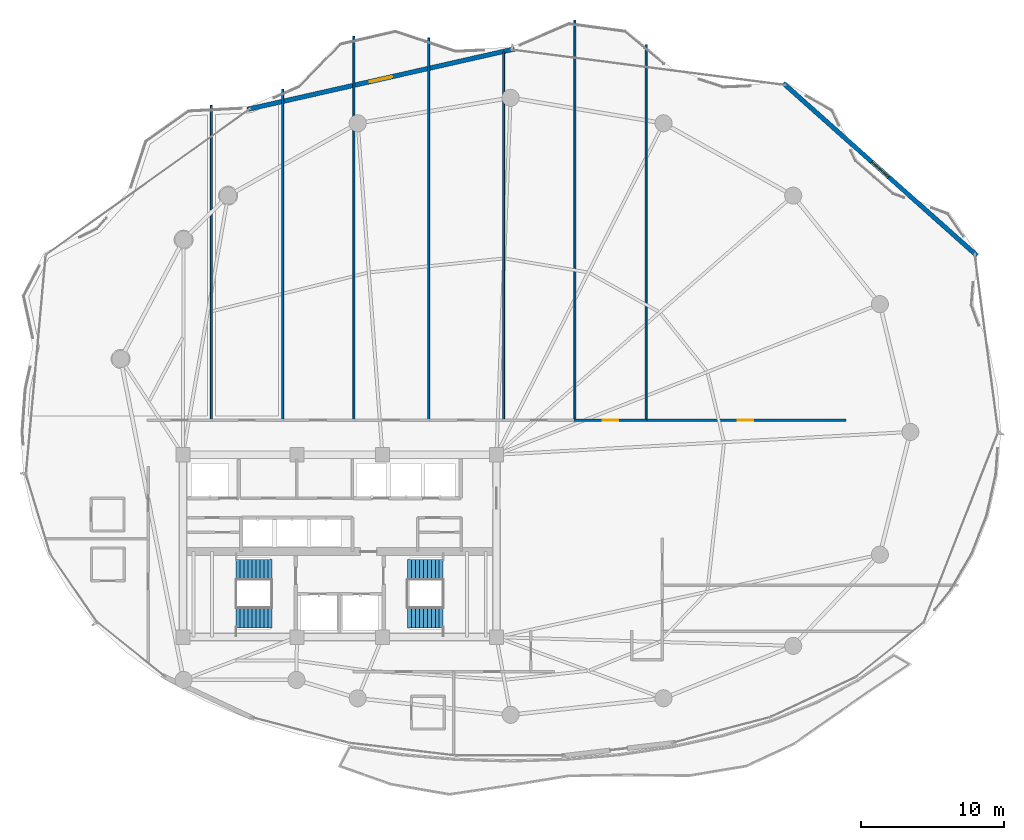
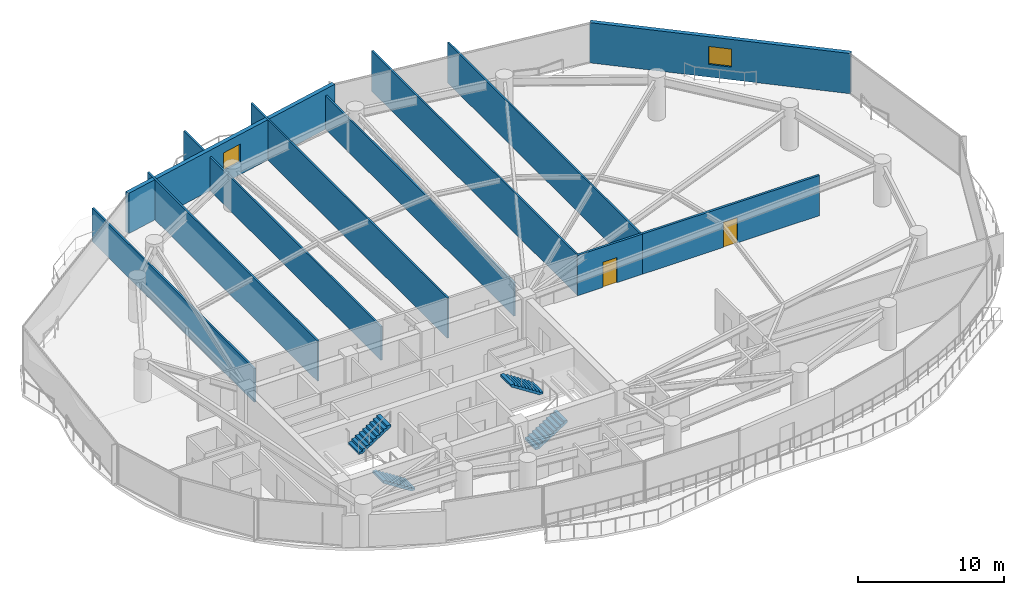
# One storey, part 28 of 33: 11 walls, 4 stair flights, 2 doors, 2 windows, 4 openings, 2 elements without a shape of their own.
"""IFC4 building model written with IfcOpenShell, lengths in metres."""

from ifc_helpers import new_model, si_unit, direction, frame, frame_2d, origin, place, context, subcontext, project, spatial, polyline, rectangle, outline, extrude, material, layer, layer_set, type_object, element, fill, aggregate, save


model = new_model("IFC4")

# Units and contexts
model_context = context("Model", 3, precision=1e-05, world=origin(), true_north=direction((0.0, 1.0)))
body_context = subcontext(model_context, "Body", "Model", "MODEL_VIEW")
ifc_project = project(units=[si_unit("LENGTHUNIT", "METRE"), si_unit("AREAUNIT", "SQUARE_METRE"), si_unit("VOLUMEUNIT", "CUBIC_METRE"), si_unit("PLANEANGLEUNIT", "RADIAN"), si_unit("MASSUNIT", "GRAM", prefix="KILO")], contexts=[model_context])

# Site, building, storey
site_placement = place(None, origin())
site = spatial("IfcSite", under=ifc_project, at=site_placement, CompositionType="ELEMENT")
building_placement = place(site_placement, origin())
building = spatial("IfcBuilding", under=site, at=building_placement, Name="Kazevale Care Tower and Concert Hall", CompositionType="ELEMENT")
storey_placement = place(building_placement, frame((0.0, 0.0, 153.0)))
storey = spatial("IfcBuildingStorey", under=building, at=storey_placement, Name="L40", CompositionType="ELEMENT", Elevation=153.0)

# Walls
ifc_material_1 = material(Name="Acoustic Gypsum on Steel Stud", Category="steel")
ifc_layer_1 = layer(ifc_material_1, 0.139892578125)
ifc_layer_set_1 = layer_set([ifc_layer_1], Name="Acoustic Gypsum on Steel Stud")
wall_type_1 = type_object("IfcWallType", Name="Acoustic Care & Suite Partition 140", PredefinedType="PARTITIONING", material=ifc_layer_set_1)
wall_1_placement = place(storey_placement, frame((24.0, 60.9208984375, 0.0), z_axis=(0.0, 0.0, 1.0), x_axis=(0.0, -1.0, 0.0)))
element("IfcWall", 1, at=wall_1_placement, inside=storey, type_object=wall_type_1, Name="wall:L40:auto_019", PredefinedType="PARTITIONING", context=body_context, shape_type="SweptSolid", body=[
    extrude(rectangle(XDim=22.1259765625, YDim=0.139892578125, at=frame_2d((11.06298828125, 0.0))), origin(), (0.0, 0.0, 1.0), 2.805908203125),
])
wall_2_placement = place(storey_placement, frame((29.0, 62.0439453125, 0.0), z_axis=(0.0, 0.0, 1.0), x_axis=(0.0, -1.0, 0.0)))
element("IfcWall", 2, at=wall_2_placement, inside=storey, type_object=wall_type_1, Name="wall:L40:auto_020", PredefinedType="PARTITIONING", context=body_context, shape_type="SweptSolid", body=[
    extrude(rectangle(XDim=23.2490234375, YDim=0.139892578125, at=frame_2d((11.62451171875, 0.0))), origin(), (0.0, 0.0, 1.0), 3.360107421875),
])
wall_3_placement = place(storey_placement, frame((34.0, 65.7509765625, 0.0), z_axis=(0.0, 0.0, 1.0), x_axis=(0.0, -1.0, 0.0)))
element("IfcWall", 3, at=wall_3_placement, inside=storey, type_object=wall_type_1, Name="wall:L40:auto_021", PredefinedType="PARTITIONING", context=body_context, shape_type="SweptSolid", body=[
    extrude(rectangle(XDim=26.9560546875, YDim=0.139892578125, at=frame_2d((13.47802734375, 0.0))), origin(), (0.0, 0.0, 1.0), 2.805908203125),
])
wall_4_placement = place(storey_placement, frame((39.25, 65.64501953125, 0.0), z_axis=(0.0, 0.0, 1.0), x_axis=(0.0, -1.0, 0.0)))
element("IfcWall", 4, at=wall_4_placement, inside=storey, type_object=wall_type_1, Name="wall:L40:auto_022", PredefinedType="PARTITIONING", context=body_context, shape_type="SweptSolid", body=[
    extrude(rectangle(XDim=26.85009765625, YDim=0.139892578125, at=frame_2d((13.425048828125, 0.0))), origin(), (0.0, 0.0, 1.0), 3.360107421875),
])
wall_5_placement = place(storey_placement, frame((44.5, 64.68994140625, 0.0), z_axis=(0.0, 0.0, 1.0), x_axis=(0.0, -1.0, 0.0)))
element("IfcWall", 5, at=wall_5_placement, inside=storey, type_object=wall_type_1, Name="wall:L40:auto_023", PredefinedType="PARTITIONING", context=body_context, shape_type="SweptSolid", body=[
    extrude(rectangle(XDim=25.89501953125, YDim=0.139892578125, at=frame_2d((12.947509765625, 0.0))), origin(), (0.0, 0.0, 1.0), 2.805908203125),
])
wall_6_placement = place(storey_placement, frame((49.5, 66.907958984375, 0.0), z_axis=(0.0, 0.0, 1.0), x_axis=(0.0, -1.0, 0.0)))
element("IfcWall", 6, at=wall_6_placement, inside=storey, type_object=wall_type_1, Name="wall:L40:auto_024", PredefinedType="PARTITIONING", context=body_context, shape_type="SweptSolid", body=[
    extrude(rectangle(XDim=28.113037109375, YDim=0.139892578125, at=frame_2d((14.056640625, 0.0))), origin(), (0.0, 0.0, 1.0), 3.360107421875),
])
wall_7_placement = place(storey_placement, frame((54.5, 65.18798828125, 0.0), z_axis=(0.0, 0.0, 1.0), x_axis=(0.0, -1.0, 0.0)))
element("IfcWall", 7, at=wall_7_placement, inside=storey, type_object=wall_type_1, Name="wall:L40:auto_025", PredefinedType="PARTITIONING", context=body_context, shape_type="SweptSolid", body=[
    extrude(rectangle(XDim=26.39306640625, YDim=0.139892578125, at=frame_2d((13.196533203125, 0.0))), origin(), (0.0, 0.0, 1.0), 3.360107421875),
])

# Wall, opening, door
ifc_material_2 = material(Name="Concrete C40 and Acoustic Gypsum", Category="concrete")
ifc_layer_2 = layer(ifc_material_2, 0.179931640625)
ifc_layer_set_2 = layer_set([ifc_layer_2], Name="Concrete C40 and Acoustic Gypsum")
wall_type_2 = type_object("IfcWallType", Name="Fire-Rated Corridor & Party Wall 180", PredefinedType="PARTITIONING", material=ifc_layer_set_2)
wall_8_placement = place(storey_placement, frame((49.43505859375, 38.824951171875, 0.0), z_axis=(0.0, 0.0, 1.0), x_axis=(1.0, 0.0, 0.0)))
wall_8 = element("IfcWall", 8, at=wall_8_placement, inside=storey, type_object=wall_type_2, Name="wall:L40:auto_007", PredefinedType="PARTITIONING", context=body_context, shape_type="SweptSolid", body=[
    extrude(rectangle(XDim=5.1298828125, YDim=0.179931640625, at=frame_2d((2.56494140625, 0.0))), origin(), (0.0, 0.0, 1.0), 3.360107421875),
])
opening_1_placement = place(wall_8_placement, frame((2.014892578125, 0.0, 0.0)))
opening_1 = element("IfcOpeningElement", 9, at=opening_1_placement, cuts=wall_8, Name="Opening ID-1100", PredefinedType="OPENING", context=body_context, shape_type="SweptSolid", body=[
    extrude(rectangle(XDim=1.10009765625, YDim=2.10009765625, at=frame_2d((0.550048828125, 1.050048828125))), frame((0.0, 0.099853515625, 0.0), z_axis=(0.0, -1.0, 0.0), x_axis=(1.0, 0.0, 0.0)), (0.0, 0.0, 1.0), 0.199951171875),
])
ifc_material_3 = material(Name="Oak Timber Fire Leaf", Category="wood")
door_type = type_object("IfcDoorType", Name="Care Bedroom Accessible Door 1100x2100", OperationType="NOTDEFINED", PredefinedType="DOOR", material=ifc_material_3)
door_1_placement = place(opening_1_placement, origin())
door_1 = element("IfcDoor", 10, at=door_1_placement, inside=storey, type_object=door_type, Name="door:L40:ad_007", OperationType="SINGLE_SWING_LEFT", OverallHeight=2.10009765625, OverallWidth=1.10009765625, PredefinedType="DOOR", context=body_context, shape_type="SweptSolid", body=[
    extrude(rectangle(XDim=1.10009765625, YDim=2.10009765625, at=frame_2d((0.550048828125, 1.050048828125))), frame((0.0, 0.02490234375, 0.0), z_axis=(0.0, -1.0, 0.0), x_axis=(1.0, 0.0, 0.0)), (0.0, 0.0, 1.0), 0.050048828125),
])
fill(opening_1, door_1)

wall_9_placement = place(storey_placement, frame((54.43505859375, 38.824951171875, 0.0), z_axis=(0.0, 0.0, 1.0), x_axis=(1.0, 0.0, 0.0)))
wall_9 = element("IfcWall", 11, at=wall_9_placement, inside=storey, type_object=wall_type_2, Name="wall:L40:auto_008", PredefinedType="PARTITIONING", context=body_context, shape_type="SweptSolid", body=[
    extrude(rectangle(XDim=14.094970703125, YDim=0.179931640625, at=frame_2d((7.04736328125, 0.0))), origin(), (0.0, 0.0, 1.0), 3.360107421875),
])
opening_2_placement = place(wall_9_placement, frame((6.498046875, 0.0, 0.0)))
opening_2 = element("IfcOpeningElement", 12, at=opening_2_placement, cuts=wall_9, Name="Opening ID-1100", PredefinedType="OPENING", context=body_context, shape_type="SweptSolid", body=[
    extrude(rectangle(XDim=1.10009765625, YDim=2.10009765625, at=frame_2d((0.550048828125, 1.050048828125))), frame((0.0, 0.099853515625, 0.0), z_axis=(0.0, -1.0, 0.0), x_axis=(1.0, 0.0, 0.0)), (0.0, 0.0, 1.0), 0.199951171875),
])
door_2_placement = place(opening_2_placement, origin())
door_2 = element("IfcDoor", 13, at=door_2_placement, inside=storey, type_object=door_type, Name="door:L40:ad_008", OperationType="SINGLE_SWING_LEFT", OverallHeight=2.10009765625, OverallWidth=1.10009765625, PredefinedType="DOOR", context=body_context, shape_type="SweptSolid", body=[
    extrude(rectangle(XDim=1.10009765625, YDim=2.10009765625, at=frame_2d((0.550048828125, 1.050048828125))), frame((0.0, 0.02490234375, 0.0), z_axis=(0.0, -1.0, 0.0), x_axis=(1.0, 0.0, 0.0)), (0.0, 0.0, 1.0), 0.050048828125),
])
fill(opening_2, door_2)

# Wall, opening, window
ifc_material_4 = material(Name="Concrete C40 with Honed Limestone Cladding", Category="masonry")
ifc_layer_3 = layer(ifc_material_4, 0.320068359375)
ifc_layer_set_3 = layer_set([ifc_layer_3], Name="Concrete C40 with Honed Limestone Cladding")
wall_type_3 = type_object("IfcWallType", Name="Tower Honed Limestone Spandrel Wall 320", PredefinedType="STANDARD", material=ifc_layer_set_3)
wall_10_placement = place(storey_placement, frame((26.52490234375, 60.635009765625, 0.0), z_axis=(0.0, 0.0, 1.0), x_axis=(0.975368700272, 0.220580820855, 0.0)))
wall_10 = element("IfcWall", 14, at=wall_10_placement, inside=storey, type_object=wall_type_3, Name="wall:L40:cbox:15", PredefinedType="STANDARD", context=body_context, shape_type="SweptSolid", body=[
    extrude(rectangle(XDim=19.204345703125, YDim=0.320068359375, at=frame_2d((9.60205078125, 0.0))), origin(), (0.0, 0.0, 1.0), 3.360107421875),
])
opening_3_placement = place(wall_10_placement, frame((8.801025390625, 0.0, 1.050048828125)))
opening_3 = element("IfcOpeningElement", 15, at=opening_3_placement, cuts=wall_10, Name="Opening WIN-1", PredefinedType="OPENING", context=body_context, shape_type="SweptSolid", body=[
    extrude(rectangle(XDim=1.60009765625, YDim=1.5, at=frame_2d((0.800048828125, 0.75))), frame((0.0, 0.169921875, 0.0), z_axis=(0.0, -1.0, 0.0), x_axis=(1.0, 0.0, 0.0)), (0.0, 0.0, 1.0), 0.340087890625),
])
ifc_material_5 = material(Name="Low-E Laminated Glass", Category="glass")
window_type = type_object("IfcWindowType", Name="Convex Box Deep-Set Window 1600x1500", PartitioningType="DOUBLE_PANEL_VERTICAL", PredefinedType="WINDOW", material=ifc_material_5)
window_1_placement = place(opening_3_placement, origin())
window_1 = element("IfcWindow", 16, at=window_1_placement, inside=storey, type_object=window_type, Name="win:L40:cbox:15", OverallHeight=1.5, OverallWidth=1.60009765625, PartitioningType="SINGLE_PANEL", PredefinedType="WINDOW", context=body_context, shape_type="SweptSolid", body=[
    extrude(rectangle(XDim=1.60009765625, YDim=1.5, at=frame_2d((0.800048828125, 0.75))), frame((0.0, 0.030029296875, 0.0), z_axis=(0.0, -1.0, 0.0), x_axis=(1.0, 0.0, 0.0)), (0.0, 0.0, 1.0), 0.06005859375),
])
fill(opening_3, window_1)

wall_11_placement = place(storey_placement, frame((64.132080078125, 62.47705078125, 0.0), z_axis=(0.0, 0.0, 1.0), x_axis=(0.746726187299, -0.665131566836, 0.0)))
wall_11 = element("IfcWall", 17, at=wall_11_placement, inside=storey, type_object=wall_type_3, Name="wall:L40:cbox:17", PredefinedType="STANDARD", context=body_context, shape_type="SweptSolid", body=[
    extrude(rectangle(XDim=18.2099609375, YDim=0.320068359375, at=frame_2d((9.10498046875, 0.0))), origin(), (0.0, 0.0, 1.0), 3.360107421875),
])
opening_4_placement = place(wall_11_placement, frame((8.304931640625, 0.0, 1.050048828125)))
opening_4 = element("IfcOpeningElement", 18, at=opening_4_placement, cuts=wall_11, Name="Opening WIN-1", PredefinedType="OPENING", context=body_context, shape_type="SweptSolid", body=[
    extrude(rectangle(XDim=1.60009765625, YDim=1.5, at=frame_2d((0.800048828125, 0.75))), frame((0.0, 0.169921875, 0.0), z_axis=(0.0, -1.0, 0.0), x_axis=(1.0, 0.0, 0.0)), (0.0, 0.0, 1.0), 0.340087890625),
])
window_2_placement = place(opening_4_placement, origin())
window_2 = element("IfcWindow", 19, at=window_2_placement, inside=storey, type_object=window_type, Name="win:L40:cbox:17", OverallHeight=1.5, OverallWidth=1.60009765625, PartitioningType="SINGLE_PANEL", PredefinedType="WINDOW", context=body_context, shape_type="SweptSolid", body=[
    extrude(rectangle(XDim=1.60009765625, YDim=1.5, at=frame_2d((0.800048828125, 0.75))), frame((0.0, 0.030029296875, 0.0), z_axis=(0.0, -1.0, 0.0), x_axis=(1.0, 0.0, 0.0)), (0.0, 0.0, 1.0), 0.06005859375),
])
fill(opening_4, window_2)

# Stair, stair flights
ifc_material_6 = material(Name="Concrete C40", Category="concrete")
stair_type = type_object("IfcStairType", Name="Exit Stair Assembly ST1-Z2", PredefinedType="HALF_TURN_STAIR", material=ifc_material_6)
stair_1_placement = place(storey_placement, origin())
stair_1 = element("IfcStair", 20, at=stair_1_placement, inside=storey, type_object=stair_type, Name="stair:L40:ST1", PredefinedType="HALF_TURN_STAIR")
ifc_layer_4 = layer(ifc_material_6, 0.159912109375)
ifc_layer_set_4 = layer_set([ifc_layer_4], Name="Concrete C40")
stair_flight_type = type_object("IfcStairFlightType", Name="Exit Stair Flight ST1-Z2", PredefinedType="STRAIGHT", material=ifc_layer_set_4)
stair_flight_1_placement = place(storey_placement, frame((28.25, 24.97998046875, 0.0), z_axis=(0.0, 0.0, 1.0), x_axis=(-1.0, 0.0, 0.0)))
stair_flight_1 = element("IfcStairFlight", 21, at=stair_flight_1_placement, type_object=stair_flight_type, Name="ST1-Z2 flight 1", NumberOfRisers=10, NumberOfTreads=9, PredefinedType="STRAIGHT", RiserHeight=0.18, TreadLength=0.28, context=body_context, shape_type="SweptSolid", body=[
    extrude(outline(polyline([(0.0, 0.0), (0.0, 0.179931640625), (0.280029296875, 0.179931640625), (0.280029296875, 0.360107421875), (0.56005859375, 0.360107421875), (0.56005859375, 0.5400390625), (0.840087890625, 0.5400390625), (0.840087890625, 0.719970703125), (1.1201171875, 0.719970703125), (1.1201171875, 0.89990234375), (1.39990234375, 0.89990234375), (1.39990234375, 1.080078125), (1.679931640625, 1.080078125), (1.679931640625, 1.260009765625), (1.9599609375, 1.260009765625), (1.9599609375, 1.43994140625), (2.239990234375, 1.43994140625), (2.239990234375, 1.6201171875), (2.52001953125, 1.6201171875), (2.52001953125, 1.800048828125), (2.52001953125, 1.429931640625), (0.295654296875, 0.0), (0.0, 0.0)])), frame((0.0, 0.72998046875, 0.0), z_axis=(0.0, -1.0, 0.0), x_axis=(1.0, 0.0, 0.0)), (0.0, 0.0, 1.0), 1.4599609375),
])
stair_flight_2_placement = place(storey_placement, frame((25.72998046875, 28.320068359375, 1.800048828125), z_axis=(0.0, 0.0, 1.0), x_axis=(1.0, 0.0, 0.0)))
stair_flight_2 = element("IfcStairFlight", 22, at=stair_flight_2_placement, type_object=stair_flight_type, Name="ST1-Z2 flight 2", NumberOfRisers=10, NumberOfTreads=9, PredefinedType="STRAIGHT", RiserHeight=0.18, TreadLength=0.28, context=body_context, shape_type="SweptSolid", body=[
    extrude(outline(polyline([(0.0, 0.0), (0.0, 0.179931640625), (0.280029296875, 0.179931640625), (0.280029296875, 0.360107421875), (0.56005859375, 0.360107421875), (0.56005859375, 0.5400390625), (0.840087890625, 0.5400390625), (0.840087890625, 0.719970703125), (1.1201171875, 0.719970703125), (1.1201171875, 0.89990234375), (1.39990234375, 0.89990234375), (1.39990234375, 1.080078125), (1.679931640625, 1.080078125), (1.679931640625, 1.260009765625), (1.9599609375, 1.260009765625), (1.9599609375, 1.43994140625), (2.239990234375, 1.43994140625), (2.239990234375, 1.6201171875), (2.52001953125, 1.6201171875), (2.52001953125, 1.800048828125), (2.52001953125, 1.429931640625), (0.295654296875, 0.0), (0.0, 0.0)])), frame((0.0, 0.72998046875, 0.0), z_axis=(0.0, -1.0, 0.0), x_axis=(1.0, 0.0, 0.0)), (0.0, 0.0, 1.0), 1.4599609375),
])
aggregate(stair_1, [stair_flight_1, stair_flight_2])

stair_2_placement = place(storey_placement, origin())
stair_2 = element("IfcStair", 23, at=stair_2_placement, inside=storey, type_object=stair_type, Name="stair:L40:ST2", PredefinedType="HALF_TURN_STAIR")
stair_flight_3_placement = place(storey_placement, frame((37.75, 24.97998046875, 0.0), z_axis=(0.0, 0.0, 1.0), x_axis=(1.0, 0.0, 0.0)))
stair_flight_3 = element("IfcStairFlight", 24, at=stair_flight_3_placement, type_object=stair_flight_type, Name="ST1-Z2 flight 1", NumberOfRisers=10, NumberOfTreads=9, PredefinedType="STRAIGHT", RiserHeight=0.18, TreadLength=0.28, context=body_context, shape_type="SweptSolid", body=[
    extrude(outline(polyline([(0.0, 0.0), (0.0, 0.179931640625), (0.280029296875, 0.179931640625), (0.280029296875, 0.360107421875), (0.56005859375, 0.360107421875), (0.56005859375, 0.5400390625), (0.840087890625, 0.5400390625), (0.840087890625, 0.719970703125), (1.1201171875, 0.719970703125), (1.1201171875, 0.89990234375), (1.39990234375, 0.89990234375), (1.39990234375, 1.080078125), (1.679931640625, 1.080078125), (1.679931640625, 1.260009765625), (1.9599609375, 1.260009765625), (1.9599609375, 1.43994140625), (2.239990234375, 1.43994140625), (2.239990234375, 1.6201171875), (2.52001953125, 1.6201171875), (2.52001953125, 1.800048828125), (2.52001953125, 1.429931640625), (0.295654296875, 0.0), (0.0, 0.0)])), frame((0.0, 0.72998046875, 0.0), z_axis=(0.0, -1.0, 0.0), x_axis=(1.0, 0.0, 0.0)), (0.0, 0.0, 1.0), 1.4599609375),
])
stair_flight_4_placement = place(storey_placement, frame((40.27001953125, 28.320068359375, 1.800048828125), z_axis=(0.0, 0.0, 1.0), x_axis=(-1.0, 0.0, 0.0)))
stair_flight_4 = element("IfcStairFlight", 25, at=stair_flight_4_placement, type_object=stair_flight_type, Name="ST1-Z2 flight 2", NumberOfRisers=10, NumberOfTreads=9, PredefinedType="STRAIGHT", RiserHeight=0.18, TreadLength=0.28, context=body_context, shape_type="SweptSolid", body=[
    extrude(outline(polyline([(0.0, 0.0), (0.0, 0.179931640625), (0.280029296875, 0.179931640625), (0.280029296875, 0.360107421875), (0.56005859375, 0.360107421875), (0.56005859375, 0.5400390625), (0.840087890625, 0.5400390625), (0.840087890625, 0.719970703125), (1.1201171875, 0.719970703125), (1.1201171875, 0.89990234375), (1.39990234375, 0.89990234375), (1.39990234375, 1.080078125), (1.679931640625, 1.080078125), (1.679931640625, 1.260009765625), (1.9599609375, 1.260009765625), (1.9599609375, 1.43994140625), (2.239990234375, 1.43994140625), (2.239990234375, 1.6201171875), (2.52001953125, 1.6201171875), (2.52001953125, 1.800048828125), (2.52001953125, 1.429931640625), (0.295654296875, 0.0), (0.0, 0.0)])), frame((0.0, 0.72998046875, 0.0), z_axis=(0.0, -1.0, 0.0), x_axis=(1.0, 0.0, 0.0)), (0.0, 0.0, 1.0), 1.4599609375),
])
aggregate(stair_2, [stair_flight_3, stair_flight_4])

save(model, "model.ifc")
